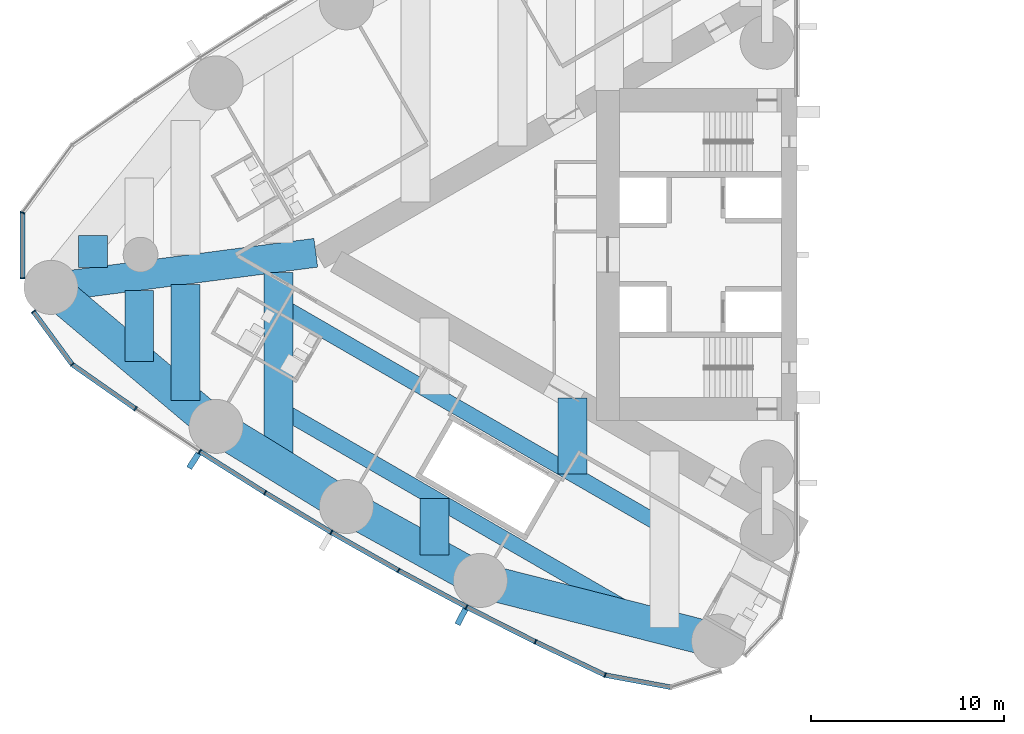
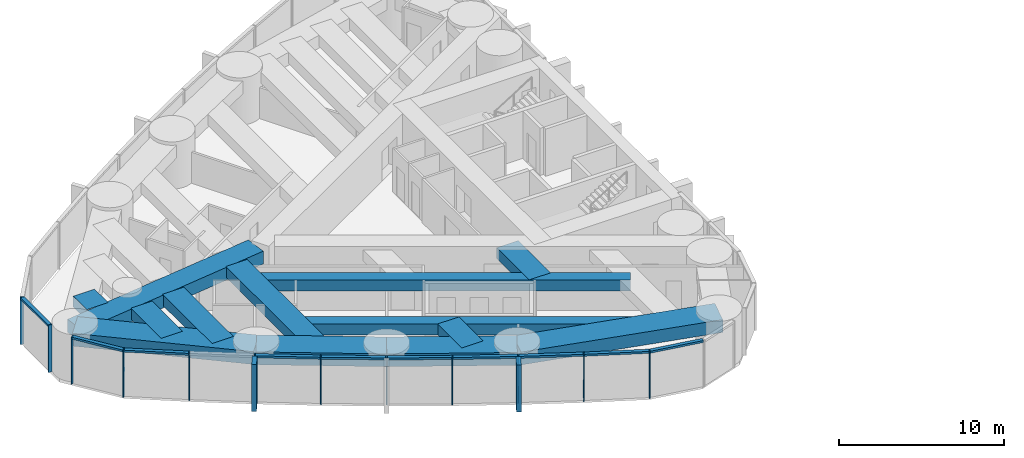
# One storey, part 2 of 18: 24 members, 13 beams, 2 elements without a shape of their own.
"""IFC4 building model written with IfcOpenShell, lengths in metres."""

from ifc_helpers import new_model, si_unit, direction, frame, origin, origin_2d, place, context, subcontext, project, spatial, rectangle, hollow_rectangle, extrude, material, material_profile, profile_set, type_object, element, aggregate, save


model = new_model("IFC4")

# Units and contexts
model_context = context("Model", 3, precision=1e-05, world=origin(), true_north=direction((0.0, 1.0)))
body_context = subcontext(model_context, "Body", "Model", "MODEL_VIEW")
ifc_project = project(units=[si_unit("LENGTHUNIT", "METRE"), si_unit("AREAUNIT", "SQUARE_METRE"), si_unit("VOLUMEUNIT", "CUBIC_METRE"), si_unit("PLANEANGLEUNIT", "RADIAN"), si_unit("MASSUNIT", "GRAM", prefix="KILO")], contexts=[model_context])

# Site, building, storey
site_placement = place(None, origin())
site = spatial("IfcSite", under=ifc_project, at=site_placement, CompositionType="ELEMENT")
building_placement = place(site_placement, origin())
building = spatial("IfcBuilding", under=site, at=building_placement, Name="Lancet Gate Hotel", CompositionType="ELEMENT")
storey_placement = place(building_placement, frame((0.0, 0.0, 166.800048828125)))
storey = spatial("IfcBuildingStorey", under=building, at=storey_placement, Name="L44", CompositionType="ELEMENT", Elevation=166.800048828125)

# Curtain wall, members
ifc_material_1 = material(Name="Aluminium curtain wall", Category="aluminium")
curtain_wall_type = type_object("IfcCurtainWallType", Name="Tower unitised curtain wall", PredefinedType="USERDEFINED", material=ifc_material_1)
curtain_wall_1_placement = place(storey_placement, origin())
curtain_wall_1 = element("IfcCurtainWall", 1, at=curtain_wall_1_placement, inside=storey, type_object=curtain_wall_type, Name="T1 L44 curtain wall 2", ObjectType="UNITISED CURTAIN WALL", PredefinedType="USERDEFINED")
ifc_material_2 = material(Name="Aluminium mullion", Category="aluminium")
ifc_material_profile_1 = material_profile(ifc_material_2, rectangle(XDim=0.06494140625, YDim=0.25, at=origin_2d()), Name="MULLION 65x250")
ifc_profile_set_1 = profile_set([ifc_material_profile_1], Name="Aluminium mullion")
member_type_1 = type_object("IfcMemberType", Name="Aluminium mullion 65x250", PredefinedType="MULLION", material=ifc_profile_set_1)
member_1_placement = place(storey_placement, frame((-67.61572265625, 2.177490234375, 0.0), z_axis=(0.0, 0.0, 1.0), x_axis=(-0.349199411078, -0.937048435943, 0.0)))
member_1 = element("IfcMember", 2, at=member_1_placement, type_object=member_type_1, Name="T1 L44 curtain wall 2 mullion 12", PredefinedType="MULLION", context=body_context, shape_type="SweptSolid", body=[
    extrude(rectangle(XDim=0.06494140625, YDim=0.25, at=origin_2d()), origin(), (0.0, 0.0, 1.0), 3.5),
])
member_2_placement = place(storey_placement, frame((-67.61572265625, -1.220458984375, 0.0), z_axis=(0.0, 0.0, 1.0), x_axis=(0.0, -1.0, 0.0)))
member_2 = element("IfcMember", 3, at=member_2_placement, type_object=member_type_1, Name="T1 L44 curtain wall 2 mullion 13", PredefinedType="MULLION", context=body_context, shape_type="SweptSolid", body=[
    extrude(rectangle(XDim=0.06494140625, YDim=0.25, at=origin_2d()), origin(), (0.0, 0.0, 1.0), 3.5),
])

curtain_wall_2_placement = place(storey_placement, origin())
curtain_wall_2 = element("IfcCurtainWall", 4, at=curtain_wall_2_placement, inside=storey, type_object=curtain_wall_type, Name="T1 L44 curtain wall 3", ObjectType="UNITISED CURTAIN WALL", PredefinedType="USERDEFINED")
member_3_placement = place(storey_placement, frame((-67.05029296875, -2.948486328125, 0.0), z_axis=(0.0, 0.0, 1.0), x_axis=(0.591299785592, -0.806451835858, 0.0)))
member_3 = element("IfcMember", 5, at=member_3_placement, type_object=member_type_1, Name="T1 L44 curtain wall 3 mullion 1", PredefinedType="MULLION", context=body_context, shape_type="SweptSolid", body=[
    extrude(rectangle(XDim=0.06494140625, YDim=0.25, at=origin_2d()), origin(), (0.0, 0.0, 1.0), 3.5),
])
member_4_placement = place(storey_placement, frame((-65.040283203125, -5.68994140625, 0.0), z_axis=(0.0, 0.0, 1.0), x_axis=(0.724381882759, -0.689398932354, 0.0)))
member_4 = element("IfcMember", 6, at=member_4_placement, type_object=member_type_1, Name="T1 L44 curtain wall 3 mullion 2", PredefinedType="MULLION", context=body_context, shape_type="SweptSolid", body=[
    extrude(rectangle(XDim=0.06494140625, YDim=0.25, at=origin_2d()), origin(), (0.0, 0.0, 1.0), 3.5),
])
member_5_placement = place(storey_placement, frame((-61.7626953125, -7.980712890625, 0.0), z_axis=(0.0, 0.0, 1.0), x_axis=(0.826312172542, -0.563212387568, 0.0)))
member_5 = element("IfcMember", 7, at=member_5_placement, type_object=member_type_1, Name="T1 L44 curtain wall 3 mullion 3", PredefinedType="MULLION", context=body_context, shape_type="SweptSolid", body=[
    extrude(rectangle(XDim=0.06494140625, YDim=0.25, at=origin_2d()), origin(), (0.0, 0.0, 1.0), 3.5),
])
member_6_placement = place(storey_placement, frame((-58.43212890625, -10.194091796875, 0.0), z_axis=(0.0, 0.0, 1.0), x_axis=(0.839331119324, -0.54362052218, 0.0)))
member_6 = element("IfcMember", 8, at=member_6_placement, type_object=member_type_1, Name="T1 L44 curtain wall 3 mullion 4", PredefinedType="MULLION", context=body_context, shape_type="SweptSolid", body=[
    extrude(rectangle(XDim=0.06494140625, YDim=0.25, at=origin_2d()), origin(), (0.0, 0.0, 1.0), 3.5),
])
member_7_placement = place(storey_placement, frame((-55.05029296875, -12.328369140625, 0.0), z_axis=(0.0, 0.0, 1.0), x_axis=(0.851885635531, -0.52372785297, 0.0)))
member_7 = element("IfcMember", 9, at=member_7_placement, type_object=member_type_1, Name="T1 L44 curtain wall 3 mullion 5", PredefinedType="MULLION", context=body_context, shape_type="SweptSolid", body=[
    extrude(rectangle(XDim=0.06494140625, YDim=0.25, at=origin_2d()), origin(), (0.0, 0.0, 1.0), 3.5),
])
member_8_placement = place(storey_placement, frame((-51.619384765625, -14.38232421875, 0.0), z_axis=(0.0, 0.0, 1.0), x_axis=(0.863968774311, -0.503545387245, 0.0)))
member_8 = element("IfcMember", 10, at=member_8_placement, type_object=member_type_1, Name="T1 L44 curtain wall 3 mullion 6", PredefinedType="MULLION", context=body_context, shape_type="SweptSolid", body=[
    extrude(rectangle(XDim=0.06494140625, YDim=0.25, at=origin_2d()), origin(), (0.0, 0.0, 1.0), 3.5),
])
member_9_placement = place(storey_placement, frame((-48.140869140625, -16.355224609375, 0.0), z_axis=(0.0, 0.0, 1.0), x_axis=(0.87557384965, -0.483084292654, 0.0)))
member_9 = element("IfcMember", 11, at=member_9_placement, type_object=member_type_1, Name="T1 L44 curtain wall 3 mullion 7", PredefinedType="MULLION", context=body_context, shape_type="SweptSolid", body=[
    extrude(rectangle(XDim=0.06494140625, YDim=0.25, at=origin_2d()), origin(), (0.0, 0.0, 1.0), 3.5),
])
member_10_placement = place(storey_placement, frame((-44.6171875, -18.245849609375, 0.0), z_axis=(0.0, 0.0, 1.0), x_axis=(0.886694440064, -0.462355891019, 0.0)))
member_10 = element("IfcMember", 12, at=member_10_placement, type_object=member_type_1, Name="T1 L44 curtain wall 3 mullion 8", PredefinedType="MULLION", context=body_context, shape_type="SweptSolid", body=[
    extrude(rectangle(XDim=0.06494140625, YDim=0.25, at=origin_2d()), origin(), (0.0, 0.0, 1.0), 3.5),
])
member_11_placement = place(storey_placement, frame((-41.0498046875, -20.052978515625, 0.0), z_axis=(0.0, 0.0, 1.0), x_axis=(0.897324392142, -0.441371652088, 0.0)))
member_11 = element("IfcMember", 13, at=member_11_placement, type_object=member_type_1, Name="T1 L44 curtain wall 3 mullion 9", PredefinedType="MULLION", context=body_context, shape_type="SweptSolid", body=[
    extrude(rectangle(XDim=0.06494140625, YDim=0.25, at=origin_2d()), origin(), (0.0, 0.0, 1.0), 3.5),
])
member_12_placement = place(storey_placement, frame((-37.44091796875, -21.775634765625, 0.0), z_axis=(0.0, 0.0, 1.0), x_axis=(0.948119321052, -0.317914694609, 0.0)))
member_12 = element("IfcMember", 14, at=member_12_placement, type_object=member_type_1, Name="T1 L44 curtain wall 3 mullion 10", PredefinedType="MULLION", context=body_context, shape_type="SweptSolid", body=[
    extrude(rectangle(XDim=0.06494140625, YDim=0.25, at=origin_2d()), origin(), (0.0, 0.0, 1.0), 3.5),
])

# Member
ifc_material_3 = material(Name="Aluminium transom", Category="aluminium")
ifc_material_profile_2 = material_profile(ifc_material_3, rectangle(XDim=0.25, YDim=0.14990234375, at=origin_2d()), Name="TRANSOM 250x150")
ifc_profile_set_2 = profile_set([ifc_material_profile_2], Name="Aluminium transom")
member_type_2 = type_object("IfcMemberType", Name="Aluminium transom 250x150", PredefinedType="USERDEFINED", material=ifc_profile_set_2)
member_13_placement = place(storey_placement, frame((-67.61572265625, 2.14501953125, 3.425048828125), z_axis=(0.0, -1.0, 0.0), x_axis=(1.0, 0.0, 0.0)))
member_13 = element("IfcMember", 15, at=member_13_placement, type_object=member_type_2, Name="T1 L44 curtain wall 2 transom 12", ObjectType="TRANSOM", PredefinedType="USERDEFINED", context=body_context, shape_type="SweptSolid", body=[
    extrude(rectangle(XDim=0.25, YDim=0.14990234375, at=origin_2d()), origin(), (0.0, 0.0, 1.0), 3.3330078125),
])

aggregate(curtain_wall_1, [member_1, member_2, member_13])

member_14_placement = place(storey_placement, frame((-67.031005859375, -2.974853515625, 3.425048828125), z_axis=(0.591306519832, -0.806446898193, 0.0), x_axis=(0.806446898193, 0.591306519832, 0.0)))
member_14 = element("IfcMember", 16, at=member_14_placement, type_object=member_type_2, Name="T1 L44 curtain wall 3 transom 1", ObjectType="TRANSOM", PredefinedType="USERDEFINED", context=body_context, shape_type="SweptSolid", body=[
    extrude(rectangle(XDim=0.25, YDim=0.14990234375, at=origin_2d()), origin(), (0.0, 0.0, 1.0), 3.333984375),
])

member_15_placement = place(storey_placement, frame((-65.013671875, -5.70849609375, 3.425048828125), z_axis=(0.819636985462, -0.572883244704, 0.0), x_axis=(0.572883244704, 0.819636985462, 0.0)))
member_15 = element("IfcMember", 17, at=member_15_placement, type_object=member_type_2, Name="T1 L44 curtain wall 3 transom 2", ObjectType="TRANSOM", PredefinedType="USERDEFINED", context=body_context, shape_type="SweptSolid", body=[
    extrude(rectangle(XDim=0.25, YDim=0.14990234375, at=origin_2d()), origin(), (0.0, 0.0, 1.0), 3.933837890625),
])

member_16_placement = place(storey_placement, frame((-58.40478515625, -10.21142578125, 3.425048828125), z_axis=(0.845671711095, -0.53370343549, 0.0), x_axis=(0.53370343549, 0.845671711095, 0.0)))
member_16 = element("IfcMember", 18, at=member_16_placement, type_object=member_type_2, Name="T1 L44 curtain wall 3 transom 4", ObjectType="TRANSOM", PredefinedType="USERDEFINED", context=body_context, shape_type="SweptSolid", body=[
    extrude(rectangle(XDim=0.25, YDim=0.14990234375, at=origin_2d()), origin(), (0.0, 0.0, 1.0), 3.93408203125),
])

member_17_placement = place(storey_placement, frame((-55.0224609375, -12.344970703125, 3.425048828125), z_axis=(0.857985365092, -0.513674131419, 0.0), x_axis=(0.513674131419, 0.857985365092, 0.0)))
member_17 = element("IfcMember", 19, at=member_17_placement, type_object=member_type_2, Name="T1 L44 curtain wall 3 transom 5", ObjectType="TRANSOM", PredefinedType="USERDEFINED", context=body_context, shape_type="SweptSolid", body=[
    extrude(rectangle(XDim=0.25, YDim=0.14990234375, at=origin_2d()), origin(), (0.0, 0.0, 1.0), 3.933837890625),
])

member_18_placement = place(storey_placement, frame((-51.591064453125, -14.3984375, 3.425048828125), z_axis=(0.869819807367, -0.493369539709, 0.0), x_axis=(0.493369539709, 0.869819807367, 0.0)))
member_18 = element("IfcMember", 20, at=member_18_placement, type_object=member_type_2, Name="T1 L44 curtain wall 3 transom 6", ObjectType="TRANSOM", PredefinedType="USERDEFINED", context=body_context, shape_type="SweptSolid", body=[
    extrude(rectangle(XDim=0.25, YDim=0.14990234375, at=origin_2d()), origin(), (0.0, 0.0, 1.0), 3.93408203125),
])

member_19_placement = place(storey_placement, frame((-48.1123046875, -16.37060546875, 3.425048828125), z_axis=(0.881185491994, -0.472770693571, 0.0), x_axis=(0.472770693571, 0.881185491994, 0.0)))
member_19 = element("IfcMember", 21, at=member_19_placement, type_object=member_type_2, Name="T1 L44 curtain wall 3 transom 7", ObjectType="TRANSOM", PredefinedType="USERDEFINED", context=body_context, shape_type="SweptSolid", body=[
    extrude(rectangle(XDim=0.25, YDim=0.14990234375, at=origin_2d()), origin(), (0.0, 0.0, 1.0), 3.93408203125),
])

member_20_placement = place(storey_placement, frame((-44.588134765625, -18.260498046875, 3.425048828125), z_axis=(0.892081477453, -0.451874581699, 0.0), x_axis=(0.451874581699, 0.892081477453, 0.0)))
member_20 = element("IfcMember", 22, at=member_20_placement, type_object=member_type_2, Name="T1 L44 curtain wall 3 transom 8", ObjectType="TRANSOM", PredefinedType="USERDEFINED", context=body_context, shape_type="SweptSolid", body=[
    extrude(rectangle(XDim=0.25, YDim=0.14990234375, at=origin_2d()), origin(), (0.0, 0.0, 1.0), 3.933837890625),
])

member_21_placement = place(storey_placement, frame((-41.0205078125, -20.06689453125, 3.425048828125), z_axis=(0.902468975385, -0.430754858902, 0.0), x_axis=(0.430754858902, 0.902468975385, 0.0)))
member_21 = element("IfcMember", 23, at=member_21_placement, type_object=member_type_2, Name="T1 L44 curtain wall 3 transom 9", ObjectType="TRANSOM", PredefinedType="USERDEFINED", context=body_context, shape_type="SweptSolid", body=[
    extrude(rectangle(XDim=0.25, YDim=0.14990234375, at=origin_2d()), origin(), (0.0, 0.0, 1.0), 3.93408203125),
])

member_22_placement = place(storey_placement, frame((-37.408935546875, -21.781494140625, 3.425048828125), z_axis=(0.983286757871, -0.182063592724, 0.0), x_axis=(0.182063592724, 0.983286757871, 0.0)))
member_22 = element("IfcMember", 24, at=member_22_placement, type_object=member_type_2, Name="T1 L44 curtain wall 3 transom 10", ObjectType="TRANSOM", PredefinedType="USERDEFINED", context=body_context, shape_type="SweptSolid", body=[
    extrude(rectangle(XDim=0.25, YDim=0.14990234375, at=origin_2d()), origin(), (0.0, 0.0, 1.0), 3.406005859375),
])

# Beams
ifc_material_4 = material(Name="Concrete C50/60", Category="concrete")
ifc_material_profile_3 = material_profile(ifc_material_4, rectangle(XDim=1.800048828125, YDim=0.949951171875, at=origin_2d()), Name="RC 1800x950")
ifc_profile_set_3 = profile_set([ifc_material_profile_3], Name="Concrete C50/60")
beam_type_1 = type_object("IfcBeamType", Name="Edge beam RC 1800x950", PredefinedType="SPANDREL", material=ifc_profile_set_3)
beam_1_placement = place(storey_placement, frame((-66.142578125, -1.6953125, 2.77490234375), z_axis=(0.765120708367, -0.64388687021, 0.0), x_axis=(0.64388687021, 0.765120708367, 0.0)))
element("IfcBeam", 25, at=beam_1_placement, inside=storey, type_object=beam_type_1, Name="T1 edge beam EB1 L44", PredefinedType="SPANDREL", context=body_context, shape_type="SweptSolid", body=[
    extrude(rectangle(XDim=1.800048828125, YDim=0.949951171875, at=origin_2d()), origin(), (0.0, 0.0, 1.0), 11.1787109375),
])
beam_2_placement = place(storey_placement, frame((-57.589599609375, -8.89306640625, 2.77490234375), z_axis=(0.851892008043, -0.523717487423, 0.0), x_axis=(0.523717487423, 0.851892008043, 0.0)))
element("IfcBeam", 26, at=beam_2_placement, inside=storey, type_object=beam_type_1, Name="T1 edge beam EB1 L44", PredefinedType="SPANDREL", context=body_context, shape_type="SweptSolid", body=[
    extrude(rectangle(XDim=1.800048828125, YDim=0.949951171875, at=origin_2d()), origin(), (0.0, 0.0, 1.0), 7.92431640625),
])
beam_3_placement = place(storey_placement, frame((-50.8388671875, -13.043212890625, 2.77490234375), z_axis=(0.875577684027, -0.483077342911, 0.0), x_axis=(0.483077342911, 0.875577684027, 0.0)))
element("IfcBeam", 27, at=beam_3_placement, inside=storey, type_object=beam_type_1, Name="T1 edge beam EB1 L44", PredefinedType="SPANDREL", context=body_context, shape_type="SweptSolid", body=[
    extrude(rectangle(XDim=1.800048828125, YDim=0.949951171875, at=origin_2d()), origin(), (0.0, 0.0, 1.0), 7.924560546875),
])
beam_4_placement = place(storey_placement, frame((-43.900390625, -16.871337890625, 2.77490234375), z_axis=(0.969008414312, -0.247027717052, 0.0), x_axis=(0.247027717052, 0.969008414312, 0.0)))
element("IfcBeam", 28, at=beam_4_placement, inside=storey, type_object=beam_type_1, Name="T1 edge beam EB1 L44", PredefinedType="SPANDREL", context=body_context, shape_type="SweptSolid", body=[
    extrude(rectangle(XDim=1.800048828125, YDim=0.949951171875, at=origin_2d()), origin(), (0.0, 0.0, 1.0), 12.7294921875),
])

# Member
ifc_material_5 = material(Name="Precast concrete C50/60", Category="concrete")
ifc_material_profile_4 = material_profile(ifc_material_5, rectangle(XDim=0.300048828125, YDim=0.89990234375, at=origin_2d()), Name="FIN 300x900")
ifc_profile_set_4 = profile_set([ifc_material_profile_4], Name="Precast concrete C50/60")
member_type_3 = type_object("IfcMemberType", Name="Exposed concrete fin 300x900", PredefinedType="USERDEFINED", material=ifc_profile_set_4)
member_23_placement = place(storey_placement, frame((-58.74462890625, -10.6767578125, 0.0), z_axis=(0.0, 0.0, 1.0), x_axis=(0.839331119324, -0.54362052218, 0.0)))
member_23 = element("IfcMember", 29, at=member_23_placement, type_object=member_type_3, Name="T1 L44 curtain wall 3 fin 4", ObjectType="FIN", PredefinedType="USERDEFINED", context=body_context, shape_type="SweptSolid", body=[
    extrude(rectangle(XDim=0.300048828125, YDim=0.89990234375, at=origin_2d()), origin(), (0.0, 0.0, 1.0), 3.5),
])

member_24_placement = place(storey_placement, frame((-44.883056640625, -18.755615234375, 0.0), z_axis=(0.0, 0.0, 1.0), x_axis=(0.886694440064, -0.462355891019, 0.0)))
member_24 = element("IfcMember", 30, at=member_24_placement, type_object=member_type_3, Name="T1 L44 curtain wall 3 fin 8", ObjectType="FIN", PredefinedType="USERDEFINED", context=body_context, shape_type="SweptSolid", body=[
    extrude(rectangle(XDim=0.300048828125, YDim=0.89990234375, at=origin_2d()), origin(), (0.0, 0.0, 1.0), 3.5),
])

aggregate(curtain_wall_2, [member_3, member_4, member_5, member_6, member_23, member_7, member_8, member_9, member_10, member_24, member_11, member_12, member_14, member_15, member_16, member_17, member_18, member_19, member_20, member_21, member_22])

# Beams
ifc_material_6 = material(Name="Concrete C50/60", Category="concrete")
ifc_material_profile_5 = material_profile(ifc_material_6, rectangle(XDim=1.5, YDim=0.800048828125, at=origin_2d()), Name="RC 1500x800")
ifc_profile_set_5 = profile_set([ifc_material_profile_5], Name="Concrete C50/60")
beam_type_2 = type_object("IfcBeamType", Name="Floor beam RC 1500x800", PredefinedType="BEAM", material=ifc_profile_set_5)
beam_5_placement = place(storey_placement, frame((-54.3681640625, -0.9130859375, 2.849853515625), z_axis=(0.0, -1.0, 0.0), x_axis=(1.0, 0.0, 0.0)))
element("IfcBeam", 31, at=beam_5_placement, inside=storey, type_object=beam_type_2, Name="T1 floor beam F11N L44", PredefinedType="BEAM", context=body_context, shape_type="SweptSolid", body=[
    extrude(rectangle(XDim=1.5, YDim=0.800048828125, at=origin_2d()), origin(), (0.0, 0.0, 1.0), 9.96044921875),
])
beam_6_placement = place(storey_placement, frame((-59.168212890625, -1.54052734375, 2.849853515625), z_axis=(0.0, -1.0, 0.0), x_axis=(1.0, 0.0, 0.0)))
element("IfcBeam", 32, at=beam_6_placement, inside=storey, type_object=beam_type_2, Name="T1 floor beam F13N L44", PredefinedType="BEAM", context=body_context, shape_type="SweptSolid", body=[
    extrude(rectangle(XDim=1.5, YDim=0.800048828125, at=origin_2d()), origin(), (0.0, 0.0, 1.0), 6.02392578125),
])
beam_7_placement = place(storey_placement, frame((-61.568359375, -1.85400390625, 2.849853515625), z_axis=(0.0, -1.0, 0.0), x_axis=(1.0, 0.0, 0.0)))
element("IfcBeam", 33, at=beam_7_placement, inside=storey, type_object=beam_type_2, Name="T1 floor beam F15N L44", PredefinedType="BEAM", context=body_context, shape_type="SweptSolid", body=[
    extrude(rectangle(XDim=1.5, YDim=0.800048828125, at=origin_2d()), origin(), (0.0, 0.0, 1.0), 3.69091796875),
])
beam_8_placement = place(storey_placement, frame((-63.96826171875, 0.996337890625, 2.849853515625), z_axis=(0.0, -1.0, 0.0), x_axis=(1.0, 0.0, 0.0)))
element("IfcBeam", 34, at=beam_8_placement, inside=storey, type_object=beam_type_2, Name="T1 floor beam F16S L44", PredefinedType="BEAM", context=body_context, shape_type="SweptSolid", body=[
    extrude(rectangle(XDim=1.5, YDim=0.800048828125, at=origin_2d()), origin(), (0.0, 0.0, 1.0), 1.6513671875),
])
beam_9_placement = place(storey_placement, frame((-39.122314453125, -7.41650390625, 2.849853515625), z_axis=(0.0, -1.0, 0.0), x_axis=(1.0, 0.0, 0.0)))
element("IfcBeam", 35, at=beam_9_placement, inside=storey, type_object=beam_type_2, Name="T1 floor beam F05NA L44", PredefinedType="BEAM", context=body_context, shape_type="SweptSolid", body=[
    extrude(rectangle(XDim=1.5, YDim=0.800048828125, at=origin_2d()), origin(), (0.0, 0.0, 1.0), 3.945556640625),
])
beam_10_placement = place(storey_placement, frame((-46.27587890625, -12.61962890625, 2.849853515625), z_axis=(0.0, -1.0, 0.0), x_axis=(1.0, 0.0, 0.0)))
element("IfcBeam", 36, at=beam_10_placement, inside=storey, type_object=beam_type_2, Name="T1 floor beam F08NB L44", PredefinedType="BEAM", context=body_context, shape_type="SweptSolid", body=[
    extrude(rectangle(XDim=1.5, YDim=0.800048828125, at=origin_2d()), origin(), (0.0, 0.0, 1.0), 2.941162109375),
])
ifc_material_7 = material(Name="Concrete C50/60", Category="concrete")
ifc_material_profile_6 = material_profile(ifc_material_7, rectangle(XDim=1.5, YDim=0.949951171875, at=origin_2d()), Name="RC 1500x950")
ifc_profile_set_6 = profile_set([ifc_material_profile_6], Name="Concrete C50/60")
beam_type_3 = type_object("IfcBeamType", Name="Radial floor beam RC 1500x950", PredefinedType="BEAM", material=ifc_profile_set_6)
beam_11_placement = place(storey_placement, frame((-66.142578125, -1.6953125, 2.77490234375), z_axis=(0.991571259053, 0.129562487702, 0.0), x_axis=(-0.129562487702, 0.991571259053, 0.0)))
element("IfcBeam", 37, at=beam_11_placement, inside=storey, type_object=beam_type_3, Name="T1 radial beam CA L44", PredefinedType="BEAM", context=body_context, shape_type="SweptSolid", body=[
    extrude(rectangle(XDim=1.5, YDim=0.949951171875, at=origin_2d()), origin(), (0.0, 0.0, 1.0), 13.8349609375),
])
ifc_material_8 = material(Name="Steel S460QL", Category="steel")
ifc_material_profile_7 = material_profile(ifc_material_8, hollow_rectangle(XDim=0.800048828125, YDim=0.800048828125, WallThickness=0.080078125, at=origin_2d()), Name="BOX 800x800x80")
ifc_profile_set_7 = profile_set([ifc_material_profile_7], Name="Steel S460QL")
beam_type_4 = type_object("IfcBeamType", Name="Trimmer beam BOX 800x800x80", PredefinedType="BEAM", material=ifc_profile_set_7)
beam_12_placement = place(storey_placement, frame((-34.353515625, -14.115234375, 2.849853515625), z_axis=(-0.866035353112, 0.499982766863, 0.0), x_axis=(-0.499982766863, -0.866035353112, 0.0)))
element("IfcBeam", 38, at=beam_12_placement, inside=storey, type_object=beam_type_4, Name="T1 trimmer beam TR01N L44", PredefinedType="BEAM", context=body_context, shape_type="SweptSolid", body=[
    extrude(hollow_rectangle(XDim=0.800048828125, YDim=0.800048828125, WallThickness=0.080078125, at=origin_2d()), origin(), (0.0, 0.0, 1.0), 23.110595703125),
])
beam_13_placement = place(storey_placement, frame((-34.966552734375, -19.14892578125, 2.849853515625), z_axis=(-0.866032239169, 0.499988160579, 0.0), x_axis=(-0.499988160579, -0.866032239169, 0.0)))
element("IfcBeam", 39, at=beam_13_placement, inside=storey, type_object=beam_type_4, Name="T1 trimmer beam TR02N L44", PredefinedType="BEAM", context=body_context, shape_type="SweptSolid", body=[
    extrude(hollow_rectangle(XDim=0.800048828125, YDim=0.800048828125, WallThickness=0.080078125, at=origin_2d()), origin(), (0.0, 0.0, 1.0), 22.40283203125),
])

save(model, "model.ifc")
